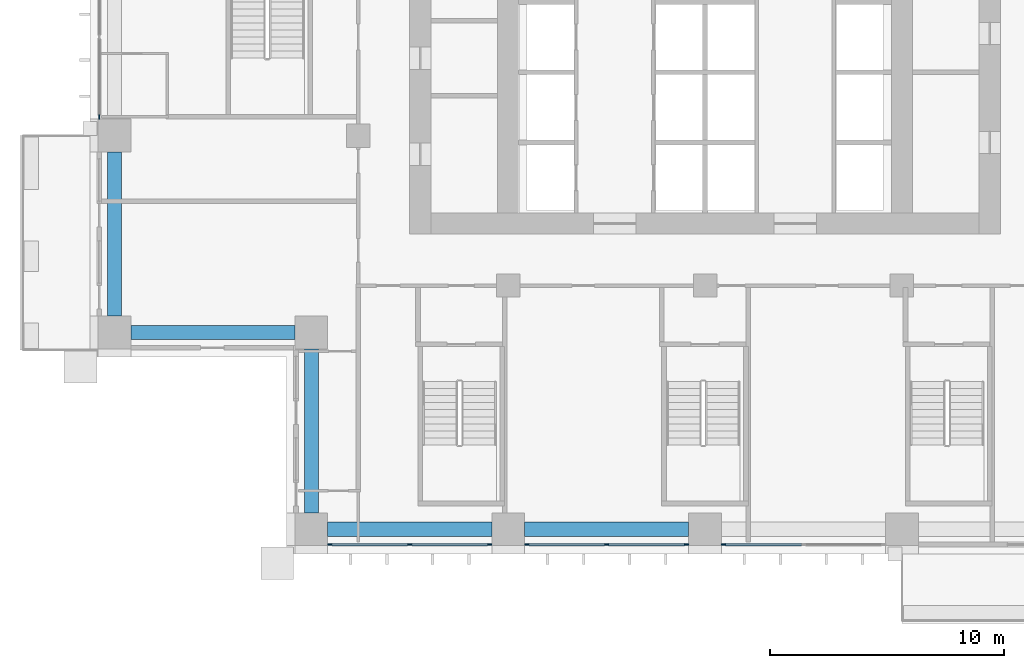
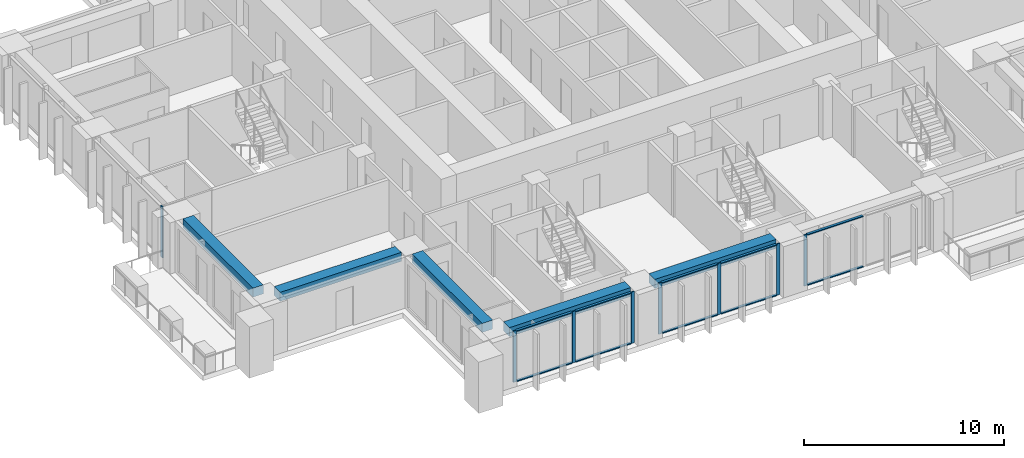
# One storey, part 2 of 18: 18 members, 5 beams, 4 elements without a shape of their own.
"""IFC4 building model written with IfcOpenShell, lengths in metres."""

from ifc_helpers import new_model, si_unit, direction, frame, origin, origin_2d, place, context, subcontext, project, spatial, rectangle, extrude, material, material_profile, profile_set, type_object, element, aggregate, save


model = new_model("IFC4")

# Units and contexts
model_context = context("Model", 3, precision=1e-05, world=origin(), true_north=direction((0.0, 1.0)))
body_context = subcontext(model_context, "Body", "Model", "MODEL_VIEW")
ifc_project = project(units=[si_unit("LENGTHUNIT", "METRE"), si_unit("AREAUNIT", "SQUARE_METRE"), si_unit("VOLUMEUNIT", "CUBIC_METRE"), si_unit("PLANEANGLEUNIT", "RADIAN"), si_unit("MASSUNIT", "GRAM", prefix="KILO")], contexts=[model_context])

# Site, building, storey
site_placement = place(None, origin())
site = spatial("IfcSite", under=ifc_project, at=site_placement, CompositionType="ELEMENT")
building_placement = place(site_placement, origin())
building = spatial("IfcBuilding", under=site, at=building_placement, Name="Vermilion Ogive Tower", CompositionType="ELEMENT")
storey_placement = place(building_placement, frame((0.0, 0.0, 34.5)))
storey = spatial("IfcBuildingStorey", under=building, at=storey_placement, Name="L06", CompositionType="ELEMENT", Elevation=34.5)

# Curtain wall, members
ifc_material_1 = material(Name="Low-iron laminated glazing in aluminium frame", Category="aluminium")
curtain_wall_type = type_object("IfcCurtainWallType", Name="Curtain wall CW7", PredefinedType="NOTDEFINED", material=ifc_material_1)
curtain_wall_1_placement = place(storey_placement, origin())
curtain_wall_1 = element("IfcCurtainWall", 1, at=curtain_wall_1_placement, inside=storey, type_object=curtain_wall_type, Name="Glazed skin S1", PredefinedType="NOTDEFINED")
ifc_material_2 = material(Name="Aluminium mullion", Category="aluminium")
ifc_material_profile_1 = material_profile(ifc_material_2, rectangle(XDim=0.06005859375, YDim=0.179931640625, at=origin_2d()), Name="AL 60x180")
ifc_profile_set_1 = profile_set([ifc_material_profile_1], Name="Aluminium mullion")
member_type_1 = type_object("IfcMemberType", Name="CW7 mullion 60x180", PredefinedType="MULLION", material=ifc_profile_set_1)
member_1_placement = place(storey_placement, frame((-16.010009765625, -21.64990234375, 0.0), z_axis=(0.0, 0.0, 1.0), x_axis=(0.0, 1.0, 0.0)))
member_1 = element("IfcMember", 2, at=member_1_placement, type_object=member_type_1, Name="CW7-S1 mullion 1", PredefinedType="MULLION", context=body_context, shape_type="SweptSolid", body=[
    extrude(rectangle(XDim=0.06005859375, YDim=0.179931640625, at=origin_2d()), origin(), (0.0, 0.0, 1.0), 3.1298828125),
])
member_2_placement = place(storey_placement, frame((-12.60009765625, -21.64990234375, 0.0), z_axis=(0.0, 0.0, 1.0), x_axis=(0.0, 1.0, 0.0)))
member_2 = element("IfcMember", 3, at=member_2_placement, type_object=member_type_1, Name="CW7-S1 mullion 2", PredefinedType="MULLION", context=body_context, shape_type="SweptSolid", body=[
    extrude(rectangle(XDim=0.06005859375, YDim=0.179931640625, at=origin_2d()), origin(), (0.0, 0.0, 1.0), 3.1298828125),
])
member_3_placement = place(storey_placement, frame((-9.18994140625, -21.64990234375, 0.0), z_axis=(0.0, 0.0, 1.0), x_axis=(0.0, 1.0, 0.0)))
member_3 = element("IfcMember", 4, at=member_3_placement, type_object=member_type_1, Name="CW7-S1 mullion 3", PredefinedType="MULLION", context=body_context, shape_type="SweptSolid", body=[
    extrude(rectangle(XDim=0.06005859375, YDim=0.179931640625, at=origin_2d()), origin(), (0.0, 0.0, 1.0), 3.1298828125),
])

curtain_wall_2_placement = place(storey_placement, origin())
curtain_wall_2 = element("IfcCurtainWall", 5, at=curtain_wall_2_placement, inside=storey, type_object=curtain_wall_type, Name="Glazed skin S2", PredefinedType="NOTDEFINED")
member_4_placement = place(storey_placement, frame((-7.610107421875, -21.64990234375, 0.0), z_axis=(0.0, 0.0, 1.0), x_axis=(0.0, 1.0, 0.0)))
member_4 = element("IfcMember", 6, at=member_4_placement, type_object=member_type_1, Name="CW7-S2 mullion 1", PredefinedType="MULLION", context=body_context, shape_type="SweptSolid", body=[
    extrude(rectangle(XDim=0.06005859375, YDim=0.179931640625, at=origin_2d()), origin(), (0.0, 0.0, 1.0), 3.1298828125),
])
member_5_placement = place(storey_placement, frame((-4.199951171875, -21.64990234375, 0.0), z_axis=(0.0, 0.0, 1.0), x_axis=(0.0, 1.0, 0.0)))
member_5 = element("IfcMember", 7, at=member_5_placement, type_object=member_type_1, Name="CW7-S2 mullion 2", PredefinedType="MULLION", context=body_context, shape_type="SweptSolid", body=[
    extrude(rectangle(XDim=0.06005859375, YDim=0.179931640625, at=origin_2d()), origin(), (0.0, 0.0, 1.0), 3.1298828125),
])
member_6_placement = place(storey_placement, frame((-0.7900390625, -21.64990234375, 0.0), z_axis=(0.0, 0.0, 1.0), x_axis=(0.0, 1.0, 0.0)))
member_6 = element("IfcMember", 8, at=member_6_placement, type_object=member_type_1, Name="CW7-S2 mullion 3", PredefinedType="MULLION", context=body_context, shape_type="SweptSolid", body=[
    extrude(rectangle(XDim=0.06005859375, YDim=0.179931640625, at=origin_2d()), origin(), (0.0, 0.0, 1.0), 3.1298828125),
])

# Curtain wall, member
curtain_wall_3_placement = place(storey_placement, origin())
curtain_wall_3 = element("IfcCurtainWall", 9, at=curtain_wall_3_placement, inside=storey, type_object=curtain_wall_type, Name="Glazed skin S3", PredefinedType="NOTDEFINED")
member_7_placement = place(storey_placement, frame((0.7900390625, -21.64990234375, 0.0), z_axis=(0.0, 0.0, 1.0), x_axis=(0.0, 1.0, 0.0)))
member_7 = element("IfcMember", 10, at=member_7_placement, type_object=member_type_1, Name="CW7-S3 mullion 1", PredefinedType="MULLION", context=body_context, shape_type="SweptSolid", body=[
    extrude(rectangle(XDim=0.06005859375, YDim=0.179931640625, at=origin_2d()), origin(), (0.0, 0.0, 1.0), 3.1298828125),
])

curtain_wall_4_placement = place(storey_placement, origin())
curtain_wall_4 = element("IfcCurtainWall", 11, at=curtain_wall_4_placement, inside=storey, type_object=curtain_wall_type, Name="Glazed skin W2", PredefinedType="NOTDEFINED")
member_8_placement = place(storey_placement, frame((-25.85009765625, -3.409912109375, 0.0), z_axis=(0.0, 0.0, 1.0), x_axis=(1.0, 0.0, 0.0)))
member_8 = element("IfcMember", 12, at=member_8_placement, type_object=member_type_1, Name="CW7-W2 mullion 3", PredefinedType="MULLION", context=body_context, shape_type="SweptSolid", body=[
    extrude(rectangle(XDim=0.06005859375, YDim=0.179931640625, at=origin_2d()), origin(), (0.0, 0.0, 1.0), 3.1298828125),
])
aggregate(curtain_wall_4, [member_8])

# Member
ifc_material_3 = material(Name="Aluminium transom", Category="aluminium")
ifc_material_profile_2 = material_profile(ifc_material_3, rectangle(XDim=0.139892578125, YDim=0.06005859375, at=origin_2d()), Name="AL 60x140")
ifc_profile_set_2 = profile_set([ifc_material_profile_2], Name="Aluminium transom")
member_type_2 = type_object("IfcMemberType", Name="CW7 transom 60x140", PredefinedType="USERDEFINED", material=ifc_profile_set_2)
member_9_placement = place(storey_placement, frame((-15.919921875, -21.64990234375, 0.030029296875), z_axis=(1.0, 0.0, 0.0), x_axis=(0.0, 1.0, 0.0)))
member_9 = element("IfcMember", 13, at=member_9_placement, type_object=member_type_2, Name="CW7-S1 transom 1.1", ObjectType="TRANSOM", PredefinedType="USERDEFINED", context=body_context, shape_type="SweptSolid", body=[
    extrude(rectangle(XDim=0.139892578125, YDim=0.06005859375, at=origin_2d()), origin(), (0.0, 0.0, 1.0), 3.22998046875),
])

member_10_placement = place(storey_placement, frame((-15.919921875, -21.64990234375, 3.10009765625), z_axis=(1.0, 0.0, 0.0), x_axis=(0.0, 1.0, 0.0)))
member_10 = element("IfcMember", 14, at=member_10_placement, type_object=member_type_2, Name="CW7-S1 transom 1.2", ObjectType="TRANSOM", PredefinedType="USERDEFINED", context=body_context, shape_type="SweptSolid", body=[
    extrude(rectangle(XDim=0.139892578125, YDim=0.06005859375, at=origin_2d()), origin(), (0.0, 0.0, 1.0), 3.22998046875),
])

member_11_placement = place(storey_placement, frame((-12.510009765625, -21.64990234375, 0.030029296875), z_axis=(1.0, 0.0, 0.0), x_axis=(0.0, 1.0, 0.0)))
member_11 = element("IfcMember", 15, at=member_11_placement, type_object=member_type_2, Name="CW7-S1 transom 2.1", ObjectType="TRANSOM", PredefinedType="USERDEFINED", context=body_context, shape_type="SweptSolid", body=[
    extrude(rectangle(XDim=0.139892578125, YDim=0.06005859375, at=origin_2d()), origin(), (0.0, 0.0, 1.0), 3.22998046875),
])

member_12_placement = place(storey_placement, frame((-12.510009765625, -21.64990234375, 3.10009765625), z_axis=(1.0, 0.0, 0.0), x_axis=(0.0, 1.0, 0.0)))
member_12 = element("IfcMember", 16, at=member_12_placement, type_object=member_type_2, Name="CW7-S1 transom 2.2", ObjectType="TRANSOM", PredefinedType="USERDEFINED", context=body_context, shape_type="SweptSolid", body=[
    extrude(rectangle(XDim=0.139892578125, YDim=0.06005859375, at=origin_2d()), origin(), (0.0, 0.0, 1.0), 3.22998046875),
])

aggregate(curtain_wall_1, [member_1, member_2, member_3, member_9, member_10, member_11, member_12])

member_13_placement = place(storey_placement, frame((-7.52001953125, -21.64990234375, 0.030029296875), z_axis=(1.0, 0.0, 0.0), x_axis=(0.0, 1.0, 0.0)))
member_13 = element("IfcMember", 17, at=member_13_placement, type_object=member_type_2, Name="CW7-S2 transom 1.1", ObjectType="TRANSOM", PredefinedType="USERDEFINED", context=body_context, shape_type="SweptSolid", body=[
    extrude(rectangle(XDim=0.139892578125, YDim=0.06005859375, at=origin_2d()), origin(), (0.0, 0.0, 1.0), 3.22998046875),
])

member_14_placement = place(storey_placement, frame((-7.52001953125, -21.64990234375, 3.10009765625), z_axis=(1.0, 0.0, 0.0), x_axis=(0.0, 1.0, 0.0)))
member_14 = element("IfcMember", 18, at=member_14_placement, type_object=member_type_2, Name="CW7-S2 transom 1.2", ObjectType="TRANSOM", PredefinedType="USERDEFINED", context=body_context, shape_type="SweptSolid", body=[
    extrude(rectangle(XDim=0.139892578125, YDim=0.06005859375, at=origin_2d()), origin(), (0.0, 0.0, 1.0), 3.22998046875),
])

member_15_placement = place(storey_placement, frame((-4.110107421875, -21.64990234375, 0.030029296875), z_axis=(1.0, 0.0, 0.0), x_axis=(0.0, 1.0, 0.0)))
member_15 = element("IfcMember", 19, at=member_15_placement, type_object=member_type_2, Name="CW7-S2 transom 2.1", ObjectType="TRANSOM", PredefinedType="USERDEFINED", context=body_context, shape_type="SweptSolid", body=[
    extrude(rectangle(XDim=0.139892578125, YDim=0.06005859375, at=origin_2d()), origin(), (0.0, 0.0, 1.0), 3.230224609375),
])

member_16_placement = place(storey_placement, frame((-4.110107421875, -21.64990234375, 3.10009765625), z_axis=(1.0, 0.0, 0.0), x_axis=(0.0, 1.0, 0.0)))
member_16 = element("IfcMember", 20, at=member_16_placement, type_object=member_type_2, Name="CW7-S2 transom 2.2", ObjectType="TRANSOM", PredefinedType="USERDEFINED", context=body_context, shape_type="SweptSolid", body=[
    extrude(rectangle(XDim=0.139892578125, YDim=0.06005859375, at=origin_2d()), origin(), (0.0, 0.0, 1.0), 3.230224609375),
])

aggregate(curtain_wall_2, [member_4, member_5, member_6, member_13, member_14, member_15, member_16])

member_17_placement = place(storey_placement, frame((0.8798828125, -21.64990234375, 0.030029296875), z_axis=(1.0, 0.0, 0.0), x_axis=(0.0, 1.0, 0.0)))
member_17 = element("IfcMember", 21, at=member_17_placement, type_object=member_type_2, Name="CW7-S3 transom 1.1", ObjectType="TRANSOM", PredefinedType="USERDEFINED", context=body_context, shape_type="SweptSolid", body=[
    extrude(rectangle(XDim=0.139892578125, YDim=0.06005859375, at=origin_2d()), origin(), (0.0, 0.0, 1.0), 3.230224609375),
])

member_18_placement = place(storey_placement, frame((0.8798828125, -21.64990234375, 3.10009765625), z_axis=(1.0, 0.0, 0.0), x_axis=(0.0, 1.0, 0.0)))
member_18 = element("IfcMember", 22, at=member_18_placement, type_object=member_type_2, Name="CW7-S3 transom 1.2", ObjectType="TRANSOM", PredefinedType="USERDEFINED", context=body_context, shape_type="SweptSolid", body=[
    extrude(rectangle(XDim=0.139892578125, YDim=0.06005859375, at=origin_2d()), origin(), (0.0, 0.0, 1.0), 3.230224609375),
])

aggregate(curtain_wall_3, [member_7, member_17, member_18])

# Beams
ifc_material_4 = material(Name="Concrete B45", Category="concrete")
ifc_material_profile_3 = material_profile(ifc_material_4, rectangle(XDim=0.60009765625, YDim=0.550048828125, at=origin_2d()), Name="600 x 550")
ifc_profile_set_3 = profile_set([ifc_material_profile_3], Name="Concrete B45")
beam_type = type_object("IfcBeamType", Name="Edge beam 600 x 550 B45", PredefinedType="BEAM", material=ifc_profile_set_3)
for number, where, z_axis, x_axis, name in (
    (23, (-16.10009765625, -21.0, 2.85498046875), (1.0, 0.0, 0.0), (0.0, 1.0, 0.0), "L06-EB-1"),
    (24, (-7.699951171875, -21.0, 2.85498046875), (1.0, 0.0, 0.0), (0.0, 1.0, 0.0), "L06-EB-2"),
    (25, (-25.199951171875, -4.89990234375, 2.85498046875), (0.0, -1.0, 0.0), (1.0, 0.0, 0.0), "L06-EB-16"),
    (26, (-24.5, -12.60009765625, 2.85498046875), (1.0, 0.0, 0.0), (0.0, 1.0, 0.0), "L06-EB-17"),
    (27, (-16.800048828125, -13.300048828125, 2.85498046875), (0.0, -1.0, 0.0), (1.0, 0.0, 0.0), "L06-EB-18"),
):
    element("IfcBeam", number, at=place(storey_placement, frame(where, z_axis=z_axis, x_axis=x_axis)), inside=storey, type_object=beam_type, Name=name, PredefinedType="BEAM", context=body_context, shape_type="SweptSolid", body=[
        extrude(rectangle(XDim=0.60009765625, YDim=0.550048828125, at=origin_2d()), origin(), (0.0, 0.0, 1.0), 7.0),
    ])

save(model, "model.ifc")
